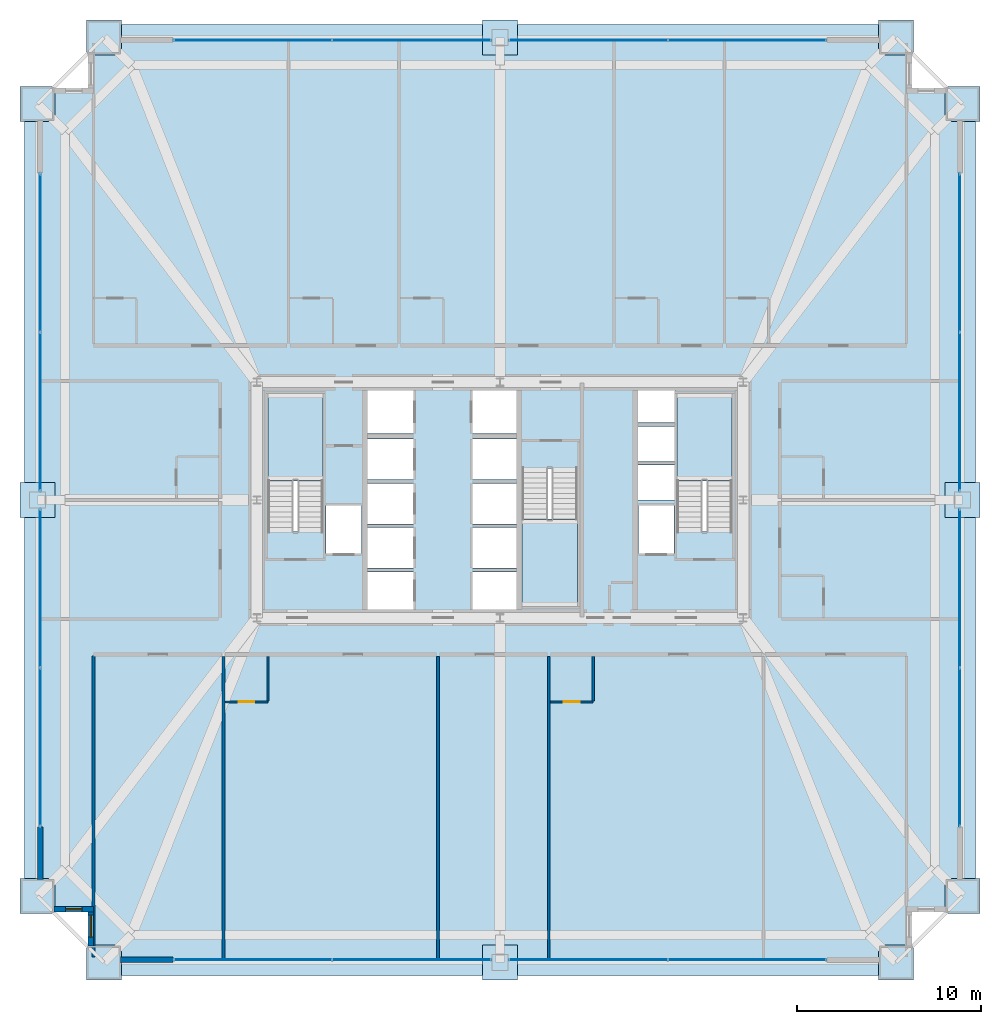
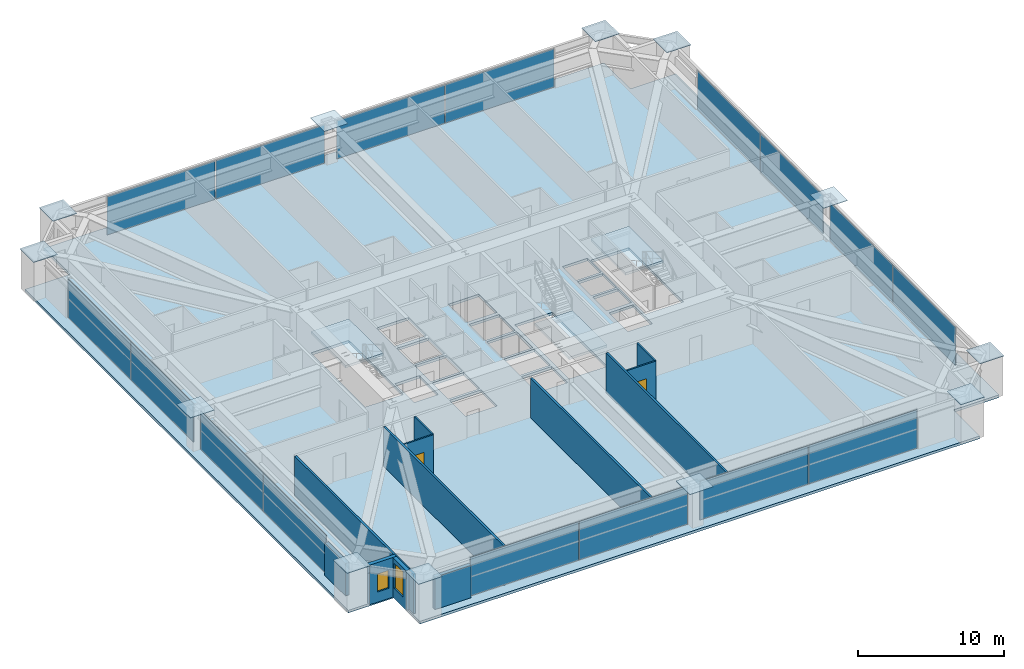
# One storey, part 39 of 44: 28 plates, 12 walls, 4 slabs, 2 doors, 2 windows, 4 openings, 11 elements without a shape of their own.
"""IFC4 building model written with IfcOpenShell, lengths in metres."""

from ifc_helpers import new_model, si_unit, direction, frame, frame_2d, origin, origin_2d, place, context, subcontext, project, spatial, polyline, rectangle, outline, extrude, source, transform, mapped, material, layer, layer_set, type_object, element, fill, aggregate, save


model = new_model("IFC4")

# Units and contexts
model_context = context("Model", 3, precision=1e-05, world=origin(), true_north=direction((0.0, 1.0)))
body_context = subcontext(model_context, "Body", "Model", "MODEL_VIEW")
ifc_project = project(units=[si_unit("LENGTHUNIT", "METRE"), si_unit("AREAUNIT", "SQUARE_METRE"), si_unit("VOLUMEUNIT", "CUBIC_METRE"), si_unit("PLANEANGLEUNIT", "RADIAN"), si_unit("MASSUNIT", "GRAM", prefix="KILO"), si_unit("THERMODYNAMICTEMPERATUREUNIT", "KELVIN"), si_unit("POWERUNIT", "WATT")], contexts=[model_context])

# Site, building, storey
site_placement = place(None, origin())
site = spatial("IfcSite", under=ifc_project, at=site_placement, CompositionType="ELEMENT")
building_placement = place(site_placement, origin())
building = spatial("IfcBuilding", under=site, at=building_placement, Name="Yuzanri Waterfront Tower", CompositionType="ELEMENT")
storey_placement = place(building_placement, frame((0.0, 0.0, 82.0)))
storey = spatial("IfcBuildingStorey", under=building, at=storey_placement, Name="L21", CompositionType="ELEMENT", Elevation=82.0)

# Stair, slab
ifc_material_1 = material(Name="Concrete C40", Category="concrete")
stair_type = type_object("IfcStairType", Name="Concrete C40 Core Dogleg Exit Stair", PredefinedType="HALF_TURN_STAIR", material=ifc_material_1)
stair_1_placement = place(storey_placement, origin())
stair_1 = element("IfcStair", 1, at=stair_1_placement, inside=storey, type_object=stair_type, Name="L21 Smoke-Proof Core Stair ST-01", PredefinedType="HALF_TURN_STAIR")
ifc_material_2 = material(Name="Concrete C40", Category="concrete")
ifc_layer_1 = layer(ifc_material_2, 0.179931640625)
ifc_layer_set_1 = layer_set([ifc_layer_1], Name="Concrete C40")
slab_type_1 = type_object("IfcSlabType", Name="Concrete C40 Stair Half-Landing Slab 180", PredefinedType="LANDING", material=ifc_layer_set_1)
slab_1_placement = place(storey_placement, frame((0.0, 0.0, 1.60009765625)))
slab_1 = element("IfcSlab", 2, at=slab_1_placement, type_object=slab_type_1, Name="ST-01 landing 1", PredefinedType="LANDING", context=body_context, shape_type="SweptSolid", body=[
    extrude(outline(polyline([(27.39990234375, 26.840087890625), (27.39990234375, 31.580078125), (24.39990234375, 31.580078125), (24.39990234375, 26.840087890625), (27.39990234375, 26.840087890625)])), origin(), (0.0, 0.0, 1.0), 0.199951171875),
])
aggregate(stair_1, [slab_1])

stair_2_placement = place(storey_placement, origin())
stair_2 = element("IfcStair", 3, at=stair_2_placement, inside=storey, type_object=stair_type, Name="L21 Smoke-Proof Core Stair ST-02", PredefinedType="HALF_TURN_STAIR")
slab_2_placement = place(storey_placement, frame((0.0, 0.0, 1.60009765625)))
slab_2 = element("IfcSlab", 4, at=slab_2_placement, type_object=slab_type_1, Name="ST-02 landing 1", PredefinedType="LANDING", context=body_context, shape_type="SweptSolid", body=[
    extrude(outline(polyline([(49.60009765625, 26.840087890625), (49.60009765625, 31.580078125), (46.60009765625, 31.580078125), (46.60009765625, 26.840087890625), (49.60009765625, 26.840087890625)])), origin(), (0.0, 0.0, 1.0), 0.199951171875),
])
aggregate(stair_2, [slab_2])

stair_3_placement = place(storey_placement, origin())
stair_3 = element("IfcStair", 5, at=stair_3_placement, inside=storey, type_object=stair_type, Name="L21 Smoke-Proof Core Stair ST-03", PredefinedType="HALF_TURN_STAIR")
slab_3_placement = place(storey_placement, frame((0.0, 0.0, 1.60009765625)))
slab_3 = element("IfcSlab", 6, at=slab_3_placement, type_object=slab_type_1, Name="ST-03 landing 1", PredefinedType="LANDING", context=body_context, shape_type="SweptSolid", body=[
    extrude(outline(polyline([(38.199951171875, 24.760009765625), (38.199951171875, 20.02001953125), (41.199951171875, 20.02001953125), (41.199951171875, 24.760009765625), (38.199951171875, 24.760009765625)])), origin(), (0.0, 0.0, 1.0), 0.199951171875),
])
aggregate(stair_3, [slab_3])

# Slab
ifc_material_3 = material(Name="Concrete C40", Category="concrete")
ifc_layer_2 = layer(ifc_material_3, 0.219970703125)
ifc_layer_set_2 = layer_set([ifc_layer_2], Name="Concrete C40")
slab_type_2 = type_object("IfcSlabType", Name="Concrete C40 Tower Typical Structural Floor Slab 220", PredefinedType="FLOOR", material=ifc_layer_set_2)
slab_4_placement = place(storey_placement, frame((0.0, 0.0, -0.219970703125)))
element("IfcSlab", 7, at=slab_4_placement, inside=storey, type_object=slab_type_2, Name="L21 Main Structural Floor Slab", PredefinedType="FLOOR", context=body_context, shape_type="SweptSolid", body=[
    extrude(outline(polyline([(14.800048828125, 0.0), (59.199951171875, 0.0), (59.199951171875, 3.60009765625), (62.800048828125, 3.60009765625), (62.800048828125, 48.0), (59.199951171875, 48.0), (59.199951171875, 51.60009765625), (14.800048828125, 51.60009765625), (14.800048828125, 48.0), (11.199951171875, 48.0), (11.199951171875, 3.60009765625), (14.800048828125, 3.60009765625), (14.800048828125, 0.0)]), holes=[polyline([(27.39990234375, 24.10009765625), (27.39990234375, 31.580078125), (24.39990234375, 31.580078125), (24.39990234375, 24.10009765625), (27.39990234375, 24.10009765625)]), polyline([(49.60009765625, 24.10009765625), (49.60009765625, 31.580078125), (46.60009765625, 31.580078125), (46.60009765625, 24.10009765625), (49.60009765625, 24.10009765625)]), polyline([(38.199951171875, 27.5), (38.199951171875, 20.02001953125), (41.199951171875, 20.02001953125), (41.199951171875, 27.5), (38.199951171875, 27.5)]), polyline([(27.56005859375, 22.89990234375), (29.47998046875, 22.89990234375), (29.47998046875, 25.5), (27.56005859375, 25.5), (27.56005859375, 22.89990234375)]), polyline([(44.52001953125, 22.89990234375), (46.43994140625, 22.89990234375), (46.43994140625, 25.5), (44.52001953125, 25.5), (44.52001953125, 22.89990234375)]), polyline([(29.800048828125, 19.699951171875), (32.300048828125, 19.699951171875), (32.300048828125, 21.89990234375), (29.800048828125, 21.89990234375), (29.800048828125, 19.699951171875)]), polyline([(29.800048828125, 22.10009765625), (32.300048828125, 22.10009765625), (32.300048828125, 24.300048828125), (29.800048828125, 24.300048828125), (29.800048828125, 22.10009765625)]), polyline([(29.800048828125, 24.5), (32.300048828125, 24.5), (32.300048828125, 26.699951171875), (29.800048828125, 26.699951171875), (29.800048828125, 24.5)]), polyline([(29.800048828125, 26.89990234375), (32.300048828125, 26.89990234375), (32.300048828125, 29.10009765625), (29.800048828125, 29.10009765625), (29.800048828125, 26.89990234375)]), polyline([(29.800048828125, 29.39990234375), (32.300048828125, 29.39990234375), (32.300048828125, 31.89990234375), (29.800048828125, 31.89990234375), (29.800048828125, 29.39990234375)]), polyline([(35.5, 19.699951171875), (37.89990234375, 19.699951171875), (37.89990234375, 21.89990234375), (35.5, 21.89990234375), (35.5, 19.699951171875)]), polyline([(35.5, 22.10009765625), (37.89990234375, 22.10009765625), (37.89990234375, 24.300048828125), (35.5, 24.300048828125), (35.5, 22.10009765625)]), polyline([(35.5, 24.5), (37.89990234375, 24.5), (37.89990234375, 26.699951171875), (35.5, 26.699951171875), (35.5, 24.5)]), polyline([(35.5, 26.89990234375), (37.89990234375, 26.89990234375), (37.89990234375, 29.10009765625), (35.5, 29.10009765625), (35.5, 26.89990234375)]), polyline([(35.5, 29.39990234375), (37.89990234375, 29.39990234375), (37.89990234375, 31.89990234375), (35.5, 31.89990234375), (35.5, 29.39990234375)]), polyline([(44.5, 25.800048828125), (46.5, 25.800048828125), (46.5, 27.699951171875), (44.5, 27.699951171875), (44.5, 25.800048828125)]), polyline([(44.5, 27.89990234375), (46.5, 27.89990234375), (46.5, 29.800048828125), (44.5, 29.800048828125), (44.5, 27.89990234375)]), polyline([(44.5, 30.0), (46.5, 30.0), (46.5, 31.89990234375), (44.5, 31.89990234375), (44.5, 30.0)])]), origin(), (0.0, 0.0, 1.0), 0.219970703125),
])

# Plates
ifc_material_4 = material(Name="Steel Q420GJC", Category="steel")
ifc_layer_3 = layer(ifc_material_4, 0.044921875)
ifc_layer_set_3 = layer_set([ifc_layer_3], Name="Steel Q420GJC")
plate_type_1 = type_object("IfcPlateType", Name="Steel Q420GJC Setback Column-Transfer Diaphragm Cap Plate 45", PredefinedType="SHEET", material=ifc_layer_set_3)
shared_shape_1 = source(origin(), body_context, "Body", "SweptSolid", [
    extrude(rectangle(XDim=1.89990234375, YDim=1.89990234375, at=origin_2d()), origin(), (0.0, 0.0, 1.0), 0.044921875),
])
for number, where, z_axis, x_axis, name in (
    (8, (15.5, 0.699951171875, 3.297607421875), (0.0, 0.0, 1.0), (1.0, 0.0, 0.0), "L21 Column Top Closure Plate S1"),
    (9, (37.0, 0.699951171875, 3.297607421875), (0.0, 0.0, 1.0), (1.0, 0.0, 0.0), "L21 Column Top Closure Plate S2"),
    (10, (58.5, 0.699951171875, 3.297607421875), (0.0, 0.0, 1.0), (1.0, 0.0, 0.0), "L21 Column Top Closure Plate S3"),
    (11, (15.5, 50.89990234375, 3.297607421875), (0.0, 0.0, 1.0), (1.0, 0.0, 0.0), "L21 Column Top Closure Plate N1"),
    (12, (37.0, 50.89990234375, 3.297607421875), (0.0, 0.0, 1.0), (1.0, 0.0, 0.0), "L21 Column Top Closure Plate N2"),
    (13, (58.5, 50.89990234375, 3.297607421875), (0.0, 0.0, 1.0), (1.0, 0.0, 0.0), "L21 Column Top Closure Plate N3"),
    (14, (11.89990234375, 4.300048828125, 3.297607421875), (0.0, 0.0, 1.0), (1.0, 0.0, 0.0), "L21 Column Top Closure Plate W1"),
    (15, (11.89990234375, 25.800048828125, 3.297607421875), (0.0, 0.0, 1.0), (1.0, 0.0, 0.0), "L21 Column Top Closure Plate W2"),
    (16, (11.89990234375, 47.300048828125, 3.297607421875), (0.0, 0.0, 1.0), (1.0, 0.0, 0.0), "L21 Column Top Closure Plate W3"),
    (17, (62.10009765625, 4.300048828125, 3.297607421875), (0.0, 0.0, 1.0), (1.0, 0.0, 0.0), "L21 Column Top Closure Plate E1"),
    (18, (62.10009765625, 25.800048828125, 3.297607421875), (0.0, 0.0, 1.0), (1.0, 0.0, 0.0), "L21 Column Top Closure Plate E2"),
    (19, (62.10009765625, 47.300048828125, 3.297607421875), (0.0, 0.0, 1.0), (1.0, 0.0, 0.0), "L21 Column Top Closure Plate E3"),
):
    element("IfcPlate", number, at=place(storey_placement, frame(where, z_axis=z_axis, x_axis=x_axis)), inside=storey, type_object=plate_type_1, Name=name, PredefinedType="SHEET", context=body_context, shape_type="MappedRepresentation", body=[
        mapped(shared_shape_1, transform((0.0, 0.0, 0.0), scale=1.0)),
    ])

# Curtain wall, plates
ifc_material_5 = material(Name="Anodized Architectural Bronze", Category="metal")
ifc_layer_4 = layer(ifc_material_5, 0.159912109375)
ifc_layer_set_4 = layer_set([ifc_layer_4], Name="Anodized Architectural Bronze")
curtain_wall_type = type_object("IfcCurtainWallType", Name="Anodized Bronze Hotel Lower-Tier Recessed Unitized Curtain Wall 8100", PredefinedType="NOTDEFINED", material=ifc_layer_set_4)
curtain_wall_1_placement = place(storey_placement, origin())
curtain_wall_1 = element("IfcCurtainWall", 20, at=curtain_wall_1_placement, inside=storey, type_object=curtain_wall_type, Name="L21 Curtain Wall CW-L21-SL", PredefinedType="NOTDEFINED")
ifc_material_6 = material(Name="Double-Silver Low-E Insulated Glass", Category="glass")
ifc_layer_5 = layer(ifc_material_6, 0.035888671875)
ifc_layer_set_5 = layer_set([ifc_layer_5], Name="Double-Silver Low-E Insulated Glass")
plate_type_2 = type_object("IfcPlateType", Name="Double Silver Low-E Insulated Vision Glass Panel 36", PredefinedType="CURTAIN_PANEL", material=ifc_layer_set_5)
shared_shape_2 = source(origin(), body_context, "Body", "SweptSolid", [
    extrude(rectangle(XDim=8.570068359375, YDim=0.035888671875, at=origin_2d()), origin(), (0.0, 0.0, 1.0), 3.219970703125),
])
plate_1_placement = place(storey_placement, frame((23.574951171875, 0.85009765625, 0.0498046875), z_axis=(0.0, 0.0, 1.0), x_axis=(1.0, 0.0, 0.0)))
plate_1 = element("IfcPlate", 21, at=plate_1_placement, type_object=plate_type_2, Name="CW-L21-SL Vision Glass Panel 01", PredefinedType="CURTAIN_PANEL", context=body_context, shape_type="MappedRepresentation", body=[
    mapped(shared_shape_2, transform((0.0, 0.0, 0.0), scale=1.0)),
])
plate_2_placement = place(storey_placement, frame((32.22509765625, 0.85009765625, 0.0498046875), z_axis=(0.0, 0.0, 1.0), x_axis=(1.0, 0.0, 0.0)))
plate_2 = element("IfcPlate", 22, at=plate_2_placement, type_object=plate_type_2, Name="CW-L21-SL Vision Glass Panel 02", PredefinedType="CURTAIN_PANEL", context=body_context, shape_type="MappedRepresentation", body=[
    mapped(shared_shape_2, transform((0.0, 0.0, 0.0), scale=1.0)),
])
aggregate(curtain_wall_1, [plate_1, plate_2])

curtain_wall_2_placement = place(storey_placement, origin())
curtain_wall_2 = element("IfcCurtainWall", 23, at=curtain_wall_2_placement, inside=storey, type_object=curtain_wall_type, Name="L21 Curtain Wall CW-L21-SR", PredefinedType="NOTDEFINED")
plate_3_placement = place(storey_placement, frame((41.77490234375, 0.85009765625, 0.0498046875), z_axis=(0.0, 0.0, 1.0), x_axis=(1.0, 0.0, 0.0)))
plate_3 = element("IfcPlate", 24, at=plate_3_placement, type_object=plate_type_2, Name="CW-L21-SR Vision Glass Panel 01", PredefinedType="CURTAIN_PANEL", context=body_context, shape_type="MappedRepresentation", body=[
    mapped(shared_shape_2, transform((0.0, 0.0, 0.0), scale=1.0)),
])
plate_4_placement = place(storey_placement, frame((50.425048828125, 0.85009765625, 0.0498046875), z_axis=(0.0, 0.0, 1.0), x_axis=(1.0, 0.0, 0.0)))
plate_4 = element("IfcPlate", 25, at=plate_4_placement, type_object=plate_type_2, Name="CW-L21-SR Vision Glass Panel 02", PredefinedType="CURTAIN_PANEL", context=body_context, shape_type="MappedRepresentation", body=[
    mapped(shared_shape_2, transform((0.0, 0.0, 0.0), scale=1.0)),
])
aggregate(curtain_wall_2, [plate_3, plate_4])

curtain_wall_3_placement = place(storey_placement, origin())
curtain_wall_3 = element("IfcCurtainWall", 26, at=curtain_wall_3_placement, inside=storey, type_object=curtain_wall_type, Name="L21 Curtain Wall CW-L21-NL", PredefinedType="NOTDEFINED")
plate_5_placement = place(storey_placement, frame((23.574951171875, 50.75, 0.0498046875), z_axis=(0.0, 0.0, 1.0), x_axis=(1.0, 0.0, 0.0)))
plate_5 = element("IfcPlate", 27, at=plate_5_placement, type_object=plate_type_2, Name="CW-L21-NL Vision Glass Panel 01", PredefinedType="CURTAIN_PANEL", context=body_context, shape_type="MappedRepresentation", body=[
    mapped(shared_shape_2, transform((0.0, 0.0, 0.0), scale=1.0)),
])
plate_6_placement = place(storey_placement, frame((32.22509765625, 50.75, 0.0498046875), z_axis=(0.0, 0.0, 1.0), x_axis=(1.0, 0.0, 0.0)))
plate_6 = element("IfcPlate", 28, at=plate_6_placement, type_object=plate_type_2, Name="CW-L21-NL Vision Glass Panel 02", PredefinedType="CURTAIN_PANEL", context=body_context, shape_type="MappedRepresentation", body=[
    mapped(shared_shape_2, transform((0.0, 0.0, 0.0), scale=1.0)),
])
aggregate(curtain_wall_3, [plate_5, plate_6])

curtain_wall_4_placement = place(storey_placement, origin())
curtain_wall_4 = element("IfcCurtainWall", 29, at=curtain_wall_4_placement, inside=storey, type_object=curtain_wall_type, Name="L21 Curtain Wall CW-L21-NR", PredefinedType="NOTDEFINED")
plate_7_placement = place(storey_placement, frame((41.77490234375, 50.75, 0.0498046875), z_axis=(0.0, 0.0, 1.0), x_axis=(1.0, 0.0, 0.0)))
plate_7 = element("IfcPlate", 30, at=plate_7_placement, type_object=plate_type_2, Name="CW-L21-NR Vision Glass Panel 01", PredefinedType="CURTAIN_PANEL", context=body_context, shape_type="MappedRepresentation", body=[
    mapped(shared_shape_2, transform((0.0, 0.0, 0.0), scale=1.0)),
])
plate_8_placement = place(storey_placement, frame((50.425048828125, 50.75, 0.0498046875), z_axis=(0.0, 0.0, 1.0), x_axis=(1.0, 0.0, 0.0)))
plate_8 = element("IfcPlate", 31, at=plate_8_placement, type_object=plate_type_2, Name="CW-L21-NR Vision Glass Panel 02", PredefinedType="CURTAIN_PANEL", context=body_context, shape_type="MappedRepresentation", body=[
    mapped(shared_shape_2, transform((0.0, 0.0, 0.0), scale=1.0)),
])
aggregate(curtain_wall_4, [plate_7, plate_8])

curtain_wall_5_placement = place(storey_placement, origin())
curtain_wall_5 = element("IfcCurtainWall", 32, at=curtain_wall_5_placement, inside=storey, type_object=curtain_wall_type, Name="L21 Curtain Wall CW-L21-WL", PredefinedType="NOTDEFINED")
plate_9_placement = place(storey_placement, frame((12.050048828125, 12.375, 0.0498046875), z_axis=(0.0, 0.0, 1.0), x_axis=(0.0, 1.0, 0.0)))
plate_9 = element("IfcPlate", 33, at=plate_9_placement, type_object=plate_type_2, Name="CW-L21-WL Vision Glass Panel 01", PredefinedType="CURTAIN_PANEL", context=body_context, shape_type="MappedRepresentation", body=[
    mapped(shared_shape_2, transform((0.0, 0.0, 0.0), scale=1.0)),
])
plate_10_placement = place(storey_placement, frame((12.050048828125, 21.02490234375, 0.0498046875), z_axis=(0.0, 0.0, 1.0), x_axis=(0.0, 1.0, 0.0)))
plate_10 = element("IfcPlate", 34, at=plate_10_placement, type_object=plate_type_2, Name="CW-L21-WL Vision Glass Panel 02", PredefinedType="CURTAIN_PANEL", context=body_context, shape_type="MappedRepresentation", body=[
    mapped(shared_shape_2, transform((0.0, 0.0, 0.0), scale=1.0)),
])
aggregate(curtain_wall_5, [plate_9, plate_10])

curtain_wall_6_placement = place(storey_placement, origin())
curtain_wall_6 = element("IfcCurtainWall", 35, at=curtain_wall_6_placement, inside=storey, type_object=curtain_wall_type, Name="L21 Curtain Wall CW-L21-WR", PredefinedType="NOTDEFINED")
plate_11_placement = place(storey_placement, frame((12.050048828125, 30.574951171875, 0.0498046875), z_axis=(0.0, 0.0, 1.0), x_axis=(0.0, 1.0, 0.0)))
plate_11 = element("IfcPlate", 36, at=plate_11_placement, type_object=plate_type_2, Name="CW-L21-WR Vision Glass Panel 01", PredefinedType="CURTAIN_PANEL", context=body_context, shape_type="MappedRepresentation", body=[
    mapped(shared_shape_2, transform((0.0, 0.0, 0.0), scale=1.0)),
])
plate_12_placement = place(storey_placement, frame((12.050048828125, 39.22509765625, 0.0498046875), z_axis=(0.0, 0.0, 1.0), x_axis=(0.0, 1.0, 0.0)))
plate_12 = element("IfcPlate", 37, at=plate_12_placement, type_object=plate_type_2, Name="CW-L21-WR Vision Glass Panel 02", PredefinedType="CURTAIN_PANEL", context=body_context, shape_type="MappedRepresentation", body=[
    mapped(shared_shape_2, transform((0.0, 0.0, 0.0), scale=1.0)),
])
aggregate(curtain_wall_6, [plate_11, plate_12])

curtain_wall_7_placement = place(storey_placement, origin())
curtain_wall_7 = element("IfcCurtainWall", 38, at=curtain_wall_7_placement, inside=storey, type_object=curtain_wall_type, Name="L21 Curtain Wall CW-L21-EL", PredefinedType="NOTDEFINED")
plate_13_placement = place(storey_placement, frame((61.949951171875, 12.375, 0.0498046875), z_axis=(0.0, 0.0, 1.0), x_axis=(0.0, 1.0, 0.0)))
plate_13 = element("IfcPlate", 39, at=plate_13_placement, type_object=plate_type_2, Name="CW-L21-EL Vision Glass Panel 01", PredefinedType="CURTAIN_PANEL", context=body_context, shape_type="MappedRepresentation", body=[
    mapped(shared_shape_2, transform((0.0, 0.0, 0.0), scale=1.0)),
])
plate_14_placement = place(storey_placement, frame((61.949951171875, 21.02490234375, 0.0498046875), z_axis=(0.0, 0.0, 1.0), x_axis=(0.0, 1.0, 0.0)))
plate_14 = element("IfcPlate", 40, at=plate_14_placement, type_object=plate_type_2, Name="CW-L21-EL Vision Glass Panel 02", PredefinedType="CURTAIN_PANEL", context=body_context, shape_type="MappedRepresentation", body=[
    mapped(shared_shape_2, transform((0.0, 0.0, 0.0), scale=1.0)),
])
aggregate(curtain_wall_7, [plate_13, plate_14])

curtain_wall_8_placement = place(storey_placement, origin())
curtain_wall_8 = element("IfcCurtainWall", 41, at=curtain_wall_8_placement, inside=storey, type_object=curtain_wall_type, Name="L21 Curtain Wall CW-L21-ER", PredefinedType="NOTDEFINED")
plate_15_placement = place(storey_placement, frame((61.949951171875, 30.574951171875, 0.0498046875), z_axis=(0.0, 0.0, 1.0), x_axis=(0.0, 1.0, 0.0)))
plate_15 = element("IfcPlate", 42, at=plate_15_placement, type_object=plate_type_2, Name="CW-L21-ER Vision Glass Panel 01", PredefinedType="CURTAIN_PANEL", context=body_context, shape_type="MappedRepresentation", body=[
    mapped(shared_shape_2, transform((0.0, 0.0, 0.0), scale=1.0)),
])
plate_16_placement = place(storey_placement, frame((61.949951171875, 39.22509765625, 0.0498046875), z_axis=(0.0, 0.0, 1.0), x_axis=(0.0, 1.0, 0.0)))
plate_16 = element("IfcPlate", 43, at=plate_16_placement, type_object=plate_type_2, Name="CW-L21-ER Vision Glass Panel 02", PredefinedType="CURTAIN_PANEL", context=body_context, shape_type="MappedRepresentation", body=[
    mapped(shared_shape_2, transform((0.0, 0.0, 0.0), scale=1.0)),
])
aggregate(curtain_wall_8, [plate_15, plate_16])

# Wall, opening, door
ifc_material_7 = material(Name="Moisture-Resistant Gypsum Stud Wall", Category="gypsum")
ifc_layer_6 = layer(ifc_material_7, 0.1201171875)
ifc_layer_set_6 = layer_set([ifc_layer_6], Name="Moisture-Resistant Gypsum Stud Wall")
wall_type_1 = type_object("IfcWallType", Name="Bathroom and Kitchen Wet Partition 120", PredefinedType="PARTITIONING", material=ifc_layer_set_6)
wall_1_placement = place(storey_placement, frame((22.0791015625, 14.840087890625, 0.0), z_axis=(0.0, 0.0, 1.0), x_axis=(1.0, 0.0, 0.0)))
wall_1 = element("IfcWall", 44, at=wall_1_placement, inside=storey, type_object=wall_type_1, Name="L21 Partition UW-L21-S2-BS", PredefinedType="PARTITIONING", context=body_context, shape_type="SweptSolid", body=[
    extrude(rectangle(XDim=2.329833984375, YDim=0.1201171875, at=frame_2d((1.1650390625, 0.0))), origin(), (0.0, 0.0, 1.0), 3.320068359375),
])
opening_1_placement = place(wall_1_placement, frame((0.739990234375, 0.0, 0.0)))
opening_1 = element("IfcOpeningElement", 45, at=opening_1_placement, cuts=wall_1, Name="Opening ID-0850", PredefinedType="OPENING", context=body_context, shape_type="SweptSolid", body=[
    extrude(rectangle(XDim=0.85009765625, YDim=2.10009765625, at=frame_2d((0.425048828125, 1.050048828125))), frame((0.0, 0.074951171875, 0.0), z_axis=(0.0, -1.0, 0.0), x_axis=(1.0, 0.0, 0.0)), (0.0, 0.0, 1.0), 0.14990234375),
])
ifc_material_8 = material(Name="Moisture-Resistant Lacquered Timber", Category="wood")
door_type = type_object("IfcDoorType", Name="En-Suite Bathroom and Kitchen Swing Door 850x2100", OperationType="NOTDEFINED", PredefinedType="DOOR", material=ifc_material_8)
shared_shape_3 = source(origin(), body_context, "Body", "SweptSolid", [
    extrude(rectangle(XDim=0.85009765625, YDim=2.10009765625, at=frame_2d((0.425048828125, 1.050048828125))), frame((0.0, 0.02490234375, 0.0), z_axis=(0.0, -1.0, 0.0), x_axis=(1.0, 0.0, 0.0)), (0.0, 0.0, 1.0), 0.050048828125),
])
door_1_placement = place(opening_1_placement, origin())
door_1 = element("IfcDoor", 46, at=door_1_placement, inside=storey, type_object=door_type, Name="L21 Guest En-Suite Door", OperationType="SINGLE_SWING_RIGHT", OverallHeight=2.10009765625, OverallWidth=0.85009765625, PredefinedType="DOOR", context=body_context, shape_type="MappedRepresentation", body=[
    mapped(shared_shape_3, transform((0.0, 0.0, 0.0), scale=1.0)),
])
fill(opening_1, door_1)

wall_2_placement = place(storey_placement, frame((39.72705078125, 14.840087890625, 0.0), z_axis=(0.0, 0.0, 1.0), x_axis=(1.0, 0.0, 0.0)))
wall_2 = element("IfcWall", 47, at=wall_2_placement, inside=storey, type_object=wall_type_1, Name="L21 Partition UW-L21-S4-BS", PredefinedType="PARTITIONING", context=body_context, shape_type="SweptSolid", body=[
    extrude(rectangle(XDim=2.329833984375, YDim=0.1201171875, at=frame_2d((1.1650390625, 0.0))), origin(), (0.0, 0.0, 1.0), 3.320068359375),
])
opening_2_placement = place(wall_2_placement, frame((0.739990234375, 0.0, 0.0)))
opening_2 = element("IfcOpeningElement", 48, at=opening_2_placement, cuts=wall_2, Name="Opening ID-0850", PredefinedType="OPENING", context=body_context, shape_type="SweptSolid", body=[
    extrude(rectangle(XDim=0.85009765625, YDim=2.10009765625, at=frame_2d((0.425048828125, 1.050048828125))), frame((0.0, 0.074951171875, 0.0), z_axis=(0.0, -1.0, 0.0), x_axis=(1.0, 0.0, 0.0)), (0.0, 0.0, 1.0), 0.14990234375),
])
door_2_placement = place(opening_2_placement, origin())
door_2 = element("IfcDoor", 49, at=door_2_placement, inside=storey, type_object=door_type, Name="L21 Guest En-Suite Door", OperationType="SINGLE_SWING_LEFT", OverallHeight=2.10009765625, OverallWidth=0.85009765625, PredefinedType="DOOR", context=body_context, shape_type="MappedRepresentation", body=[
    mapped(shared_shape_3, transform((0.0, 0.0, 0.0), scale=1.0)),
])
fill(opening_2, door_2)

# Wall, opening, window
ifc_material_9 = material(Name="Honed Chongqing Dark Basalt Stone", Category="masonry")
ifc_layer_7 = layer(ifc_material_9, 0.300048828125)
ifc_layer_set_7 = layer_set([ifc_layer_7], Name="Honed Chongqing Dark Basalt Stone")
wall_type_2 = type_object("IfcWallType", Name="Bronze Rainscreen Insulated Spandrel Portal Wall 300", PredefinedType="SOLIDWALL", material=ifc_layer_set_7)
wall_3_placement = place(storey_placement, frame((12.800048828125, 3.60009765625, 0.0), z_axis=(0.0, 0.0, 1.0), x_axis=(1.0, 0.0, 0.0)))
wall_3 = element("IfcWall", 50, at=wall_3_placement, inside=storey, type_object=wall_type_2, Name="L21 Notched Corner Masonry Wall SW-X", PredefinedType="SOLIDWALL", context=body_context, shape_type="SweptSolid", body=[
    extrude(rectangle(XDim=2.14990234375, YDim=0.300048828125, at=frame_2d((1.074951171875, 0.0))), origin(), (0.0, 0.0, 1.0), 3.320068359375),
])
opening_3_placement = place(wall_3_placement, frame((0.625, 0.0, 0.85009765625)))
opening_3 = element("IfcOpeningElement", 51, at=opening_3_placement, cuts=wall_3, Name="Opening WN-05", PredefinedType="OPENING", context=body_context, shape_type="SweptSolid", body=[
    extrude(rectangle(XDim=0.89990234375, YDim=1.5, at=frame_2d((0.449951171875, 0.75))), frame((0.0, 0.1650390625, 0.0), z_axis=(0.0, -1.0, 0.0), x_axis=(1.0, 0.0, 0.0)), (0.0, 0.0, 1.0), 0.329833984375),
])
ifc_material_10 = material(Name="Double-Silver Low-E Insulated Glass", Category="glass")
window_type_1 = type_object("IfcWindowType", Name="Anodized Bronze Service and Stairwell Smoke-Vent Window 900x1500", PartitioningType="SINGLE_PANEL", PredefinedType="WINDOW", material=ifc_material_10)
shared_shape_4 = source(origin(), body_context, "Body", "SweptSolid", [
    extrude(rectangle(XDim=0.89990234375, YDim=1.5, at=frame_2d((0.449951171875, 0.75))), frame((0.0, 0.030029296875, 0.0), z_axis=(0.0, -1.0, 0.0), x_axis=(1.0, 0.0, 0.0)), (0.0, 0.0, 1.0), 0.06005859375),
])
window_1_placement = place(opening_3_placement, origin())
window_1 = element("IfcWindow", 52, at=window_1_placement, inside=storey, type_object=window_type_1, Name="L21 Notched Corner Window SW-X", OverallHeight=1.5, OverallWidth=0.89990234375, PartitioningType="SINGLE_PANEL", PredefinedType="WINDOW", context=body_context, shape_type="MappedRepresentation", body=[
    mapped(shared_shape_4, transform((0.0, 0.0, 0.0), scale=1.0)),
])
fill(opening_3, window_1)

wall_4_placement = place(storey_placement, frame((14.800048828125, 3.75, 0.0), z_axis=(0.0, 0.0, 1.0), x_axis=(0.0, -1.0, 0.0)))
wall_4 = element("IfcWall", 53, at=wall_4_placement, inside=storey, type_object=wall_type_2, Name="L21 Notched Corner Masonry Wall SW-Y", PredefinedType="SOLIDWALL", context=body_context, shape_type="SweptSolid", body=[
    extrude(rectangle(XDim=2.14990234375, YDim=0.300048828125, at=frame_2d((1.074951171875, 0.0))), origin(), (0.0, 0.0, 1.0), 3.320068359375),
])
opening_4_placement = place(wall_4_placement, frame((0.47509765625, 0.0, 0.85009765625)))
opening_4 = element("IfcOpeningElement", 54, at=opening_4_placement, cuts=wall_4, Name="Opening WN-02", PredefinedType="OPENING", context=body_context, shape_type="SweptSolid", body=[
    extrude(rectangle(XDim=1.199951171875, YDim=2.10009765625, at=frame_2d((0.60009765625, 1.050048828125))), frame((0.0, 0.1650390625, 0.0), z_axis=(0.0, -1.0, 0.0), x_axis=(1.0, 0.0, 0.0)), (0.0, 0.0, 1.0), 0.329833984375),
])
ifc_material_11 = material(Name="Double-Silver Low-E Insulated Glass", Category="glass")
window_type_2 = type_object("IfcWindowType", Name="Anodized Bronze Notched Corner Deep-Set Slot Window 1200x2100", PartitioningType="SINGLE_PANEL", PredefinedType="WINDOW", material=ifc_material_11)
shared_shape_5 = source(origin(), body_context, "Body", "SweptSolid", [
    extrude(rectangle(XDim=1.199951171875, YDim=2.10009765625, at=frame_2d((0.60009765625, 1.050048828125))), frame((0.0, 0.030029296875, 0.0), z_axis=(0.0, -1.0, 0.0), x_axis=(1.0, 0.0, 0.0)), (0.0, 0.0, 1.0), 0.06005859375),
])
window_2_placement = place(opening_4_placement, origin())
window_2 = element("IfcWindow", 55, at=window_2_placement, inside=storey, type_object=window_type_2, Name="L21 Notched Corner Window SW-Y", OverallHeight=2.10009765625, OverallWidth=1.199951171875, PartitioningType="SINGLE_PANEL", PredefinedType="WINDOW", context=body_context, shape_type="MappedRepresentation", body=[
    mapped(shared_shape_5, transform((0.0, 0.0, 0.0), scale=1.0)),
])
fill(opening_4, window_2)

# Walls
shared_shape_6 = source(origin(), body_context, "Body", "SweptSolid", [
    extrude(rectangle(XDim=2.85009765625, YDim=0.300048828125, at=frame_2d((1.425048828125, 0.0))), origin(), (0.0, 0.0, 1.0), 2.715087890625),
])
for number, where, z_axis, x_axis, name in (
    (56, (16.39990234375, 0.85009765625, 0.0), (0.0, 0.0, 1.0), (1.0, 0.0, 0.0), "L21 S Left Braced Masonry Shoulder"),
    (57, (12.050048828125, 5.199951171875, 0.0), (0.0, 0.0, 1.0), (0.0, 1.0, 0.0), "L21 W Left Braced Masonry Shoulder"),
):
    element("IfcWall", number, at=place(storey_placement, frame(where, z_axis=z_axis, x_axis=x_axis)), inside=storey, type_object=wall_type_2, Name=name, PredefinedType="SOLIDWALL", context=body_context, shape_type="MappedRepresentation", body=[
        mapped(shared_shape_6, transform((0.0, 0.0, 0.0), scale=1.0)),
    ])
ifc_material_12 = material(Name="Gypsum Fireboard Acoustic Stud Wall", Category="gypsum")
ifc_layer_8 = layer(ifc_material_12, 0.159912109375)
ifc_layer_set_8 = layer_set([ifc_layer_8], Name="Gypsum Fireboard Acoustic Stud Wall")
wall_type_3 = type_object("IfcWallType", Name="Acoustic Suite Demising Partition 160", PredefinedType="PARTITIONING", material=ifc_layer_set_8)
shared_shape_7 = source(origin(), body_context, "Body", "SweptSolid", [
    extrude(rectangle(XDim=16.469970703125, YDim=0.159912109375, at=frame_2d((8.23486328125, 0.0))), origin(), (0.0, 0.0, 1.0), 3.320068359375),
])
for number, where, z_axis, x_axis, name in (
    (58, (21.9990234375, 0.85009765625, 0.0), (0.0, 0.0, 1.0), (0.0, 1.0, 0.0), "L21-S1 Party Wall"),
    (59, (33.64697265625, 0.85009765625, 0.0), (0.0, 0.0, 1.0), (0.0, 1.0, 0.0), "L21-S2 Party Wall"),
    (60, (39.64697265625, 0.85009765625, 0.0), (0.0, 0.0, 1.0), (0.0, 1.0, 0.0), "L21-S3 Party Wall"),
):
    element("IfcWall", number, at=place(storey_placement, frame(where, z_axis=z_axis, x_axis=x_axis)), inside=storey, type_object=wall_type_3, Name=name, PredefinedType="PARTITIONING", context=body_context, shape_type="MappedRepresentation", body=[
        mapped(shared_shape_7, transform((0.0, 0.0, 0.0), scale=1.0)),
    ])
shared_shape_8 = source(origin(), body_context, "Body", "SweptSolid", [
    extrude(rectangle(XDim=2.420166015625, YDim=0.1201171875, at=frame_2d((1.2099609375, 0.0))), origin(), (0.0, 0.0, 1.0), 3.320068359375),
])
for number, where, z_axis, x_axis, name in (
    (61, (24.408935546875, 14.89990234375, 0.0), (0.0, 0.0, 1.0), (0.0, 1.0, 0.0), "L21-S2 En-Suite Side Wall"),
    (62, (42.056884765625, 14.89990234375, 0.0), (0.0, 0.0, 1.0), (0.0, 1.0, 0.0), "L21-S4 En-Suite Side Wall"),
):
    element("IfcWall", number, at=place(storey_placement, frame(where, z_axis=z_axis, x_axis=x_axis)), inside=storey, type_object=wall_type_1, Name=name, PredefinedType="PARTITIONING", context=body_context, shape_type="MappedRepresentation", body=[
        mapped(shared_shape_8, transform((0.0, 0.0, 0.0), scale=1.0)),
    ])
shared_shape_9 = source(origin(), body_context, "Body", "SweptSolid", [
    extrude(rectangle(XDim=16.320068359375, YDim=0.159912109375, at=frame_2d((8.16015625, 0.0))), origin(), (0.0, 0.0, 1.0), 3.320068359375),
])
wall_5_placement = place(storey_placement, frame((14.949951171875, 1.0, 0.0), z_axis=(0.0, 0.0, 1.0), x_axis=(0.0, 1.0, 0.0)))
element("IfcWall", 63, at=wall_5_placement, inside=storey, type_object=wall_type_3, Name="L21 South Band West End Wall", PredefinedType="PARTITIONING", context=body_context, shape_type="MappedRepresentation", body=[
    mapped(shared_shape_9, transform((0.0, 0.0, 0.0), scale=1.0)),
])

save(model, "model.ifc")
